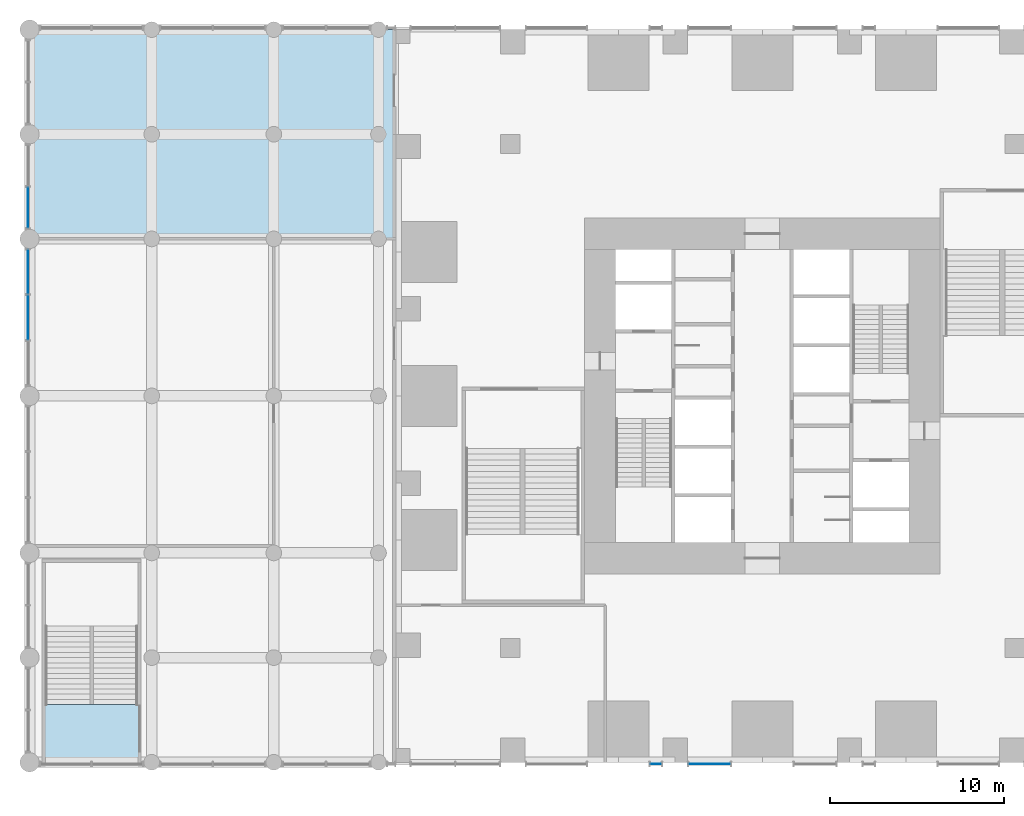
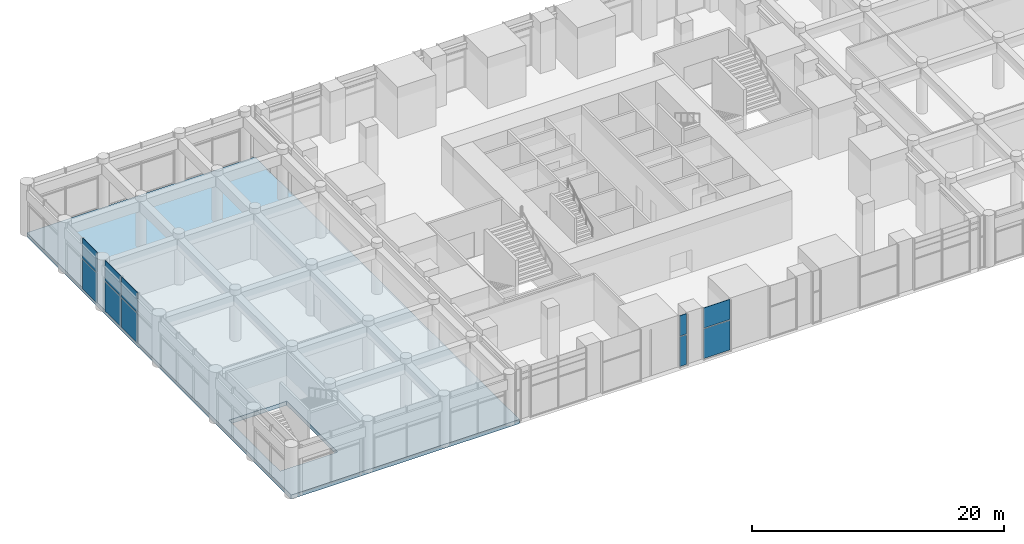
# One storey, part 11 of 23: 10 plates, 1 slab, 4 elements without a shape of their own.
"""IFC4 building model written with IfcOpenShell, lengths in metres."""

import ifcopenshell
import ifcopenshell.guid

model = None  # the IFC model being written
_history = None  # IfcOwnerHistory: only IFC2X3 demands one
_inside = {}  # id of a spatial element -> (the spatial element, [elements in it])
_under = {}  # id of a project, library or spatial element -> (it, [spatial elements below it])
_declared = {}  # id of a project -> (the project, [libraries it declares])
_typed = {}  # id of a type object -> (the type object, [elements of that type])
_made_of = {}  # id of a material, layer set ... -> (it, [elements and type objects made of it])


def new_model(schema):
    """Start an empty IFC model of exactly this schema.

    Asked for "IFC4X3", IfcOpenShell would pick the latest addendum, in which some entities
    have other attributes; the version numbers below select the first issue.
    IFC2X3 requires an IfcOwnerHistory on every rooted entity: one is made here for all.
    """
    global model, _history
    if schema == "IFC4X3":
        model = ifcopenshell.file(schema_version=(4, 3, 0, 0))
    else:
        model = ifcopenshell.file(schema=schema)
    _inside.clear()
    _under.clear()
    _declared.clear()
    _typed.clear()
    _made_of.clear()
    _history = None
    if model.schema == "IFC2X3":
        org = make("IfcOrganization", Name="unknown")
        user = make(
            "IfcPersonAndOrganization",
            ThePerson=make("IfcPerson", FamilyName="unknown"),
            TheOrganization=org,
        )
        app = make(
            "IfcApplication",
            ApplicationDeveloper=org,
            Version="unknown",
            ApplicationFullName="unknown",
            ApplicationIdentifier="unknown",
        )
        _history = make(
            "IfcOwnerHistory",
            OwningUser=user,
            OwningApplication=app,
            ChangeAction="ADDED",
            CreationDate=0,
        )
    return model


def make(cls, **values):
    """One entity of the class cls with the attributes given. An attribute that is None is left unset."""
    return model.create_entity(
        cls, **{name: value for name, value in values.items() if value is not None}
    )


def rooted(cls, **values):
    """An entity with a GlobalId (a new one), such as an element, a storey or a relation."""
    return make(cls, GlobalId=ifcopenshell.guid.new(), OwnerHistory=_history, **values)


def si_unit(unit_type, name, prefix=None):
    """IfcSIUnit, for example si_unit("LENGTHUNIT", "METRE", prefix="MILLI")."""
    return make("IfcSIUnit", UnitType=unit_type, Prefix=prefix, Name=name)


def assignment(units):
    """IfcUnitAssignment: the units of a project."""
    return None if units is None else make("IfcUnitAssignment", Units=units)


def point(xyz):
    """IfcCartesianPoint."""
    return None if xyz is None else make("IfcCartesianPoint", Coordinates=xyz)


def direction(xyz):
    """IfcDirection."""
    return None if xyz is None else make("IfcDirection", DirectionRatios=xyz)


def frame(location, z_axis=None, x_axis=None):
    """IfcAxis2Placement3D, a coordinate frame: its origin and axes. An axis left out is left unset."""
    return make(
        "IfcAxis2Placement3D",
        Location=point(location),
        Axis=direction(z_axis),
        RefDirection=direction(x_axis),
    )


def frame_2d(location, x_axis=None):
    """IfcAxis2Placement2D, a coordinate frame in the plane: its origin and x axis."""
    return make(
        "IfcAxis2Placement2D", Location=point(location), RefDirection=direction(x_axis)
    )


def origin():
    """The frame at (0, 0, 0) with its axes left unset."""
    return frame((0.0, 0.0, 0.0))


def origin_2d():
    """The frame at (0, 0) in the plane with its x axis left unset."""
    return frame_2d((0.0, 0.0))


def place(relative_to, where):
    """IfcLocalPlacement: puts the frame where relative to a parent placement (None: the world)."""
    return make(
        "IfcLocalPlacement", PlacementRelTo=relative_to, RelativePlacement=where
    )


def context(
    kind, dimensions, precision=None, world=None, true_north=None, identifier=None
):
    """IfcGeometricRepresentationContext, for example the 3D "Model" context."""
    return make(
        "IfcGeometricRepresentationContext",
        ContextIdentifier=identifier,
        ContextType=kind,
        CoordinateSpaceDimension=dimensions,
        Precision=precision,
        WorldCoordinateSystem=world,
        TrueNorth=true_north,
    )


def subcontext(parent, identifier, kind, view, scale=None):
    """IfcGeometricRepresentationSubContext, for example "Body" below "Model"."""
    return make(
        "IfcGeometricRepresentationSubContext",
        ContextIdentifier=identifier,
        ContextType=kind,
        ParentContext=parent,
        TargetScale=scale,
        TargetView=view,
    )


def project(units=None, contexts=None):
    """IfcProject with its units and contexts."""
    return rooted(
        "IfcProject",
        Name="project",
        RepresentationContexts=contexts,
        UnitsInContext=assignment(units),
    )


def spatial(cls, under=None, at=None, **own):
    """A site, building, storey or space (cls), placed at a placement, below another one or the project."""
    s = rooted(cls, ObjectPlacement=at, **own)
    if under is not None:
        _under.setdefault(under.id(), (under, []))[1].append(s)
    return s


def polyline(points):
    """IfcPolyline through the points."""
    return make("IfcPolyline", Points=[point(p) for p in points])


def profile(cls, at=None, kind="AREA", **sizes):
    """A parametric profile (cls). Its sizes go by their IFC names, for example OverallWidth=200.0."""
    return make(cls, ProfileType=kind, Position=at, **sizes)


def rectangle(**sizes):
    """IfcRectangleProfileDef."""
    return profile("IfcRectangleProfileDef", **sizes)


def outline(outer, holes=None, kind="AREA"):
    """IfcArbitraryClosedProfileDef: a profile drawn as a closed curve; with holes, ...WithVoids."""
    if holes is None:
        return make("IfcArbitraryClosedProfileDef", ProfileType=kind, OuterCurve=outer)
    return make(
        "IfcArbitraryProfileDefWithVoids",
        ProfileType=kind,
        OuterCurve=outer,
        InnerCurves=holes,
    )


def extrude(swept, where, along, depth):
    """IfcExtrudedAreaSolid: the profile swept, set in the frame where, extruded along a direction by depth."""
    return make(
        "IfcExtrudedAreaSolid",
        SweptArea=swept,
        Position=where,
        ExtrudedDirection=direction(along),
        Depth=depth,
    )


def shape(context_of_items, identifier, shape_type, items):
    """IfcShapeRepresentation: the items that make up one representation, for example the "Body"."""
    return make(
        "IfcShapeRepresentation",
        ContextOfItems=context_of_items,
        RepresentationIdentifier=identifier,
        RepresentationType=shape_type,
        Items=items,
    )


def material(Name=None, Category=None):
    """IfcMaterial."""
    return make("IfcMaterial", Name=Name, Category=Category)


def layer(
    of_material, thickness, ventilated=None, Name=None, Category=None, Priority=None
):
    """IfcMaterialLayer: one layer of a wall or slab, of a material (None: an air gap)."""
    return make(
        "IfcMaterialLayer",
        Material=of_material,
        LayerThickness=thickness,
        IsVentilated=ventilated,
        Name=Name,
        Category=Category,
        Priority=Priority,
    )


def layer_set(layers, Name=None):
    """IfcMaterialLayerSet."""
    return make("IfcMaterialLayerSet", MaterialLayers=layers, LayerSetName=Name)


def made_of(thing, what):
    """Note that an element or type object is made of a material, layer set ...; save() writes the relation."""
    if what is not None:
        _made_of.setdefault(what.id(), (what, []))[1].append(thing)
    return thing


def type_object(cls, material=None, **own):
    """A type object (cls), such as IfcWallType, which elements share."""
    return made_of(rooted(cls, **own), material)


def element(
    cls,
    number,
    at=None,
    inside=None,
    cuts=None,
    type_object=None,
    material=None,
    context=None,
    identifier="Body",
    shape_type=None,
    held_by="IfcProductDefinitionShape",
    body=None,
    shapes=None,
    **own,
):
    """One element of the class cls, such as IfcWall. Its Tag is "e" and its number.

    at: its placement. inside: the storey or other place that contains it. cuts: it is an
    opening in that element (IfcRelVoidsElement). A single representation is given by context,
    identifier, shape_type and body (its items); several are given by shapes. held_by: the class
    of the entity that holds the representations. save() writes the other relations.
    """
    e = rooted(cls, Tag="e%d" % number, ObjectPlacement=at, **own)
    if body is not None:
        shapes = [shape(context, identifier, shape_type, body)]
    if shapes is not None:
        e.Representation = make(held_by, Representations=shapes)
    if inside is not None:
        _inside.setdefault(inside.id(), (inside, []))[1].append(e)
    if cuts is not None:
        rooted(
            "IfcRelVoidsElement", RelatingBuildingElement=cuts, RelatedOpeningElement=e
        )
    if type_object is not None:
        _typed.setdefault(type_object.id(), (type_object, []))[1].append(e)
    return made_of(e, material)


def aggregate(whole, parts):
    """IfcRelAggregates: a whole, such as a stair, and the parts it consists of."""
    return rooted("IfcRelAggregates", RelatingObject=whole, RelatedObjects=parts)


def save(model, path):
    """Write the relations noted so far, then the file.

    IfcRelAggregates (storeys below a building ...), IfcRelContainedInSpatialStructure (elements
    in a storey), IfcRelDefinesByType, IfcRelAssociatesMaterial and IfcRelDeclares: one each for
    every whole, place, type object, material and project.
    """
    for whole, parts in _under.values():
        aggregate(whole, parts)
    for where, things in _inside.values():
        rooted(
            "IfcRelContainedInSpatialStructure",
            RelatedElements=things,
            RelatingStructure=where,
        )
    for kind, things in _typed.values():
        rooted("IfcRelDefinesByType", RelatedObjects=things, RelatingType=kind)
    for what, things in _made_of.values():
        rooted("IfcRelAssociatesMaterial", RelatedObjects=things, RelatingMaterial=what)
    for by, libraries in _declared.values():
        rooted("IfcRelDeclares", RelatingContext=by, RelatedDefinitions=libraries)
    model.write(path)


model = new_model("IFC4")

# Units and contexts
model_context = context("Model", 3, precision=1e-05, world=origin(), true_north=direction((0.0, 1.0)))
body_context = subcontext(model_context, "Body", "Model", "MODEL_VIEW")
ifc_project = project(units=[si_unit("LENGTHUNIT", "METRE"), si_unit("AREAUNIT", "SQUARE_METRE"), si_unit("VOLUMEUNIT", "CUBIC_METRE"), si_unit("PLANEANGLEUNIT", "RADIAN"), si_unit("MASSUNIT", "GRAM", prefix="KILO")], contexts=[model_context])

# Site, building, storey
site_placement = place(None, origin())
site = spatial("IfcSite", under=ifc_project, at=site_placement, CompositionType="ELEMENT")
building_placement = place(site_placement, origin())
building = spatial("IfcBuilding", under=site, at=building_placement, Name="Svetlomir Tower", CompositionType="ELEMENT")
storey_placement = place(building_placement, frame((0.0, 0.0, 6.0)))
storey = spatial("IfcBuildingStorey", under=building, at=storey_placement, Name="L01", CompositionType="ELEMENT", Elevation=6.0)

# Curtain wall, plates
ifc_material_1 = material(Name="Bronze anodised aluminium curtain wall", Category="aluminium")
curtain_wall_type = type_object("IfcCurtainWallType", Name="CURTAIN WALL CW5 PODIUM", PredefinedType="NOTDEFINED", material=ifc_material_1)
curtain_wall_1_placement = place(storey_placement, origin())
curtain_wall_1 = element("IfcCurtainWall", 1, at=curtain_wall_1_placement, inside=storey, type_object=curtain_wall_type, Name="Curtain wall CW5 L01", PredefinedType="NOTDEFINED")
ifc_material_2 = material(Name="Tinted double glazed unit", Category="glass")
ifc_layer_1 = layer(ifc_material_2, 0.0400390625)
ifc_layer_set_1 = layer_set([ifc_layer_1], Name="Tinted double glazed unit")
plate_type = type_object("IfcPlateType", Name="CW5 GLAZED PANEL 40", PredefinedType="CURTAIN_PANEL", material=ifc_layer_set_1)
plate_1_placement = place(storey_placement, frame((14.89990234375, -0.10009765625, 0.080078125), z_axis=(0.0, 0.0, 1.0), x_axis=(1.0, 0.0, 0.0)))
plate_1 = element("IfcPlate", 2, at=plate_1_placement, type_object=plate_type, Name="CW5 panel 1.1", PredefinedType="CURTAIN_PANEL", context=body_context, shape_type="SweptSolid", body=[
    extrude(rectangle(XDim=0.639892578125, YDim=0.0400390625, at=origin_2d()), origin(), (0.0, 0.0, 1.0), 2.8798828125),
])
plate_2_placement = place(storey_placement, frame((14.89990234375, -0.10009765625, 3.0400390625), z_axis=(0.0, 0.0, 1.0), x_axis=(1.0, 0.0, 0.0)))
plate_2 = element("IfcPlate", 3, at=plate_2_placement, type_object=plate_type, Name="CW5 panel 1.2", PredefinedType="CURTAIN_PANEL", context=body_context, shape_type="SweptSolid", body=[
    extrude(rectangle(XDim=0.639892578125, YDim=0.0400390625, at=origin_2d()), origin(), (0.0, 0.0, 1.0), 1.9599609375),
])
aggregate(curtain_wall_1, [plate_1, plate_2])

curtain_wall_2_placement = place(storey_placement, origin())
curtain_wall_2 = element("IfcCurtainWall", 4, at=curtain_wall_2_placement, inside=storey, type_object=curtain_wall_type, Name="Curtain wall CW5 L01", PredefinedType="NOTDEFINED")
plate_3_placement = place(storey_placement, frame((17.97509765625, -0.10009765625, 0.080078125), z_axis=(0.0, 0.0, 1.0), x_axis=(1.0, 0.0, 0.0)))
plate_3 = element("IfcPlate", 5, at=plate_3_placement, type_object=plate_type, Name="CW5 panel 1.1", PredefinedType="CURTAIN_PANEL", context=body_context, shape_type="SweptSolid", body=[
    extrude(rectangle(XDim=2.389892578125, YDim=0.0400390625, at=origin_2d()), origin(), (0.0, 0.0, 1.0), 2.8798828125),
])
plate_4_placement = place(storey_placement, frame((17.97509765625, -0.10009765625, 3.0400390625), z_axis=(0.0, 0.0, 1.0), x_axis=(1.0, 0.0, 0.0)))
plate_4 = element("IfcPlate", 6, at=plate_4_placement, type_object=plate_type, Name="CW5 panel 1.2", PredefinedType="CURTAIN_PANEL", context=body_context, shape_type="SweptSolid", body=[
    extrude(rectangle(XDim=2.389892578125, YDim=0.0400390625, at=origin_2d()), origin(), (0.0, 0.0, 1.0), 1.9599609375),
])
aggregate(curtain_wall_2, [plate_3, plate_4])

curtain_wall_3_placement = place(storey_placement, origin())
curtain_wall_3 = element("IfcCurtainWall", 7, at=curtain_wall_3_placement, inside=storey, type_object=curtain_wall_type, Name="Curtain wall CW5 L01", PredefinedType="NOTDEFINED")
plate_5_placement = place(storey_placement, frame((-21.10009765625, 31.794921875, 0.080078125), z_axis=(0.0, 0.0, 1.0), x_axis=(0.0, -1.0, 0.0)))
plate_5 = element("IfcPlate", 8, at=plate_5_placement, type_object=plate_type, Name="CW5 panel 2.1", PredefinedType="CURTAIN_PANEL", context=body_context, shape_type="SweptSolid", body=[
    extrude(rectangle(XDim=2.330078125, YDim=0.0400390625, at=origin_2d()), origin(), (0.0, 0.0, 1.0), 2.8798828125),
])
plate_6_placement = place(storey_placement, frame((-21.10009765625, 31.794921875, 3.0400390625), z_axis=(0.0, 0.0, 1.0), x_axis=(0.0, -1.0, 0.0)))
plate_6 = element("IfcPlate", 9, at=plate_6_placement, type_object=plate_type, Name="CW5 panel 2.2", PredefinedType="CURTAIN_PANEL", context=body_context, shape_type="SweptSolid", body=[
    extrude(rectangle(XDim=2.330078125, YDim=0.0400390625, at=origin_2d()), origin(), (0.0, 0.0, 1.0), 1.9599609375),
])
aggregate(curtain_wall_3, [plate_5, plate_6])

curtain_wall_4_placement = place(storey_placement, origin())
curtain_wall_4 = element("IfcCurtainWall", 10, at=curtain_wall_4_placement, inside=storey, type_object=curtain_wall_type, Name="Curtain wall CW5 L01", PredefinedType="NOTDEFINED")
plate_7_placement = place(storey_placement, frame((-21.10009765625, 28.11328125, 0.080078125), z_axis=(0.0, 0.0, 1.0), x_axis=(0.0, -1.0, 0.0)))
plate_7 = element("IfcPlate", 11, at=plate_7_placement, type_object=plate_type, Name="CW5 panel 1.1", PredefinedType="CURTAIN_PANEL", context=body_context, shape_type="SweptSolid", body=[
    extrude(rectangle(XDim=2.513427734375, YDim=0.0400390625, at=origin_2d()), origin(), (0.0, 0.0, 1.0), 2.8798828125),
])
plate_8_placement = place(storey_placement, frame((-21.10009765625, 28.11328125, 3.0400390625), z_axis=(0.0, 0.0, 1.0), x_axis=(0.0, -1.0, 0.0)))
plate_8 = element("IfcPlate", 12, at=plate_8_placement, type_object=plate_type, Name="CW5 panel 1.2", PredefinedType="CURTAIN_PANEL", context=body_context, shape_type="SweptSolid", body=[
    extrude(rectangle(XDim=2.513427734375, YDim=0.0400390625, at=origin_2d()), origin(), (0.0, 0.0, 1.0), 1.9599609375),
])
plate_9_placement = place(storey_placement, frame((-21.10009765625, 25.5, 0.080078125), z_axis=(0.0, 0.0, 1.0), x_axis=(0.0, -1.0, 0.0)))
plate_9 = element("IfcPlate", 13, at=plate_9_placement, type_object=plate_type, Name="CW5 panel 2.1", PredefinedType="CURTAIN_PANEL", context=body_context, shape_type="SweptSolid", body=[
    extrude(rectangle(XDim=2.55322265625, YDim=0.0400390625, at=origin_2d()), origin(), (0.0, 0.0, 1.0), 2.8798828125),
])
plate_10_placement = place(storey_placement, frame((-21.10009765625, 25.5, 3.0400390625), z_axis=(0.0, 0.0, 1.0), x_axis=(0.0, -1.0, 0.0)))
plate_10 = element("IfcPlate", 14, at=plate_10_placement, type_object=plate_type, Name="CW5 panel 2.2", PredefinedType="CURTAIN_PANEL", context=body_context, shape_type="SweptSolid", body=[
    extrude(rectangle(XDim=2.55322265625, YDim=0.0400390625, at=origin_2d()), origin(), (0.0, 0.0, 1.0), 1.9599609375),
])
aggregate(curtain_wall_4, [plate_7, plate_8, plate_9, plate_10])

# Slab
ifc_material_3 = material(Name="Concrete C60/75", Category="concrete")
ifc_layer_2 = layer(ifc_material_3, 0.39990234375)
ifc_layer_set_2 = layer_set([ifc_layer_2], Name="Concrete C60/75")
slab_type = type_object("IfcSlabType", Name="FLOOR SLAB 400", PredefinedType="FLOOR", material=ifc_layer_set_2)
slab_placement = place(storey_placement, frame((0.0, 0.0, -0.39990234375)))
element("IfcSlab", 15, at=slab_placement, inside=storey, type_object=slab_type, Name="L01 floor slab west wing", PredefinedType="FLOOR", context=body_context, shape_type="SweptSolid", body=[
    extrude(outline(polyline([(-21.0, 0.0), (-0.050048828125, 0.0), (-0.050048828125, 42.0), (-21.0, 42.0), (-21.0, 0.0)]), holes=[polyline([(-20.10009765625, 3.320068359375), (-14.800048828125, 3.320068359375), (-14.800048828125, 11.449951171875), (-20.10009765625, 11.449951171875), (-20.10009765625, 3.320068359375)])]), origin(), (0.0, 0.0, 1.0), 0.39990234375),
])

save(model, "model.ifc")
